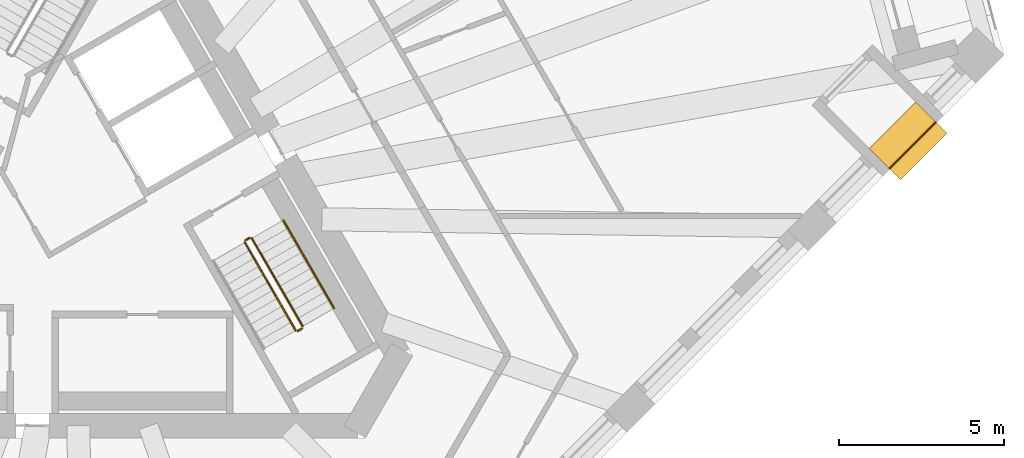
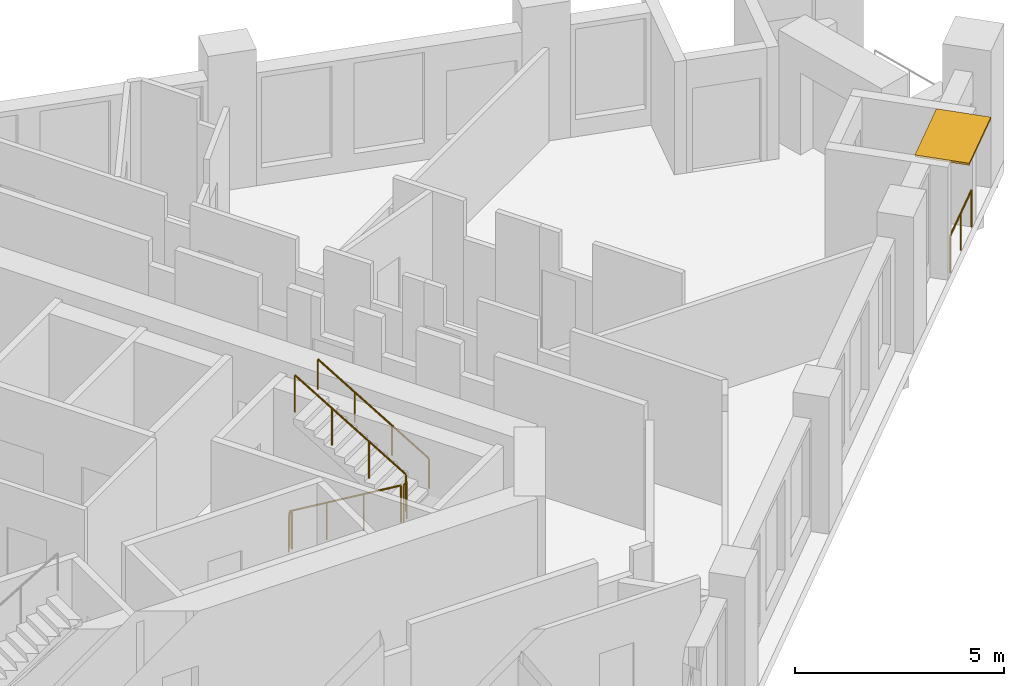
# One storey, part 11 of 13: 6 railings, 1 shading device.
"""IFC4 building model written with IfcOpenShell, lengths in metres."""

import ifcopenshell
import ifcopenshell.guid

model = None  # the IFC model being written
_history = None  # IfcOwnerHistory: only IFC2X3 demands one
_inside = {}  # id of a spatial element -> (the spatial element, [elements in it])
_under = {}  # id of a project, library or spatial element -> (it, [spatial elements below it])
_declared = {}  # id of a project -> (the project, [libraries it declares])
_typed = {}  # id of a type object -> (the type object, [elements of that type])
_made_of = {}  # id of a material, layer set ... -> (it, [elements and type objects made of it])


def new_model(schema):
    """Start an empty IFC model of exactly this schema.

    Asked for "IFC4X3", IfcOpenShell would pick the latest addendum, in which some entities
    have other attributes; the version numbers below select the first issue.
    IFC2X3 requires an IfcOwnerHistory on every rooted entity: one is made here for all.
    """
    global model, _history
    if schema == "IFC4X3":
        model = ifcopenshell.file(schema_version=(4, 3, 0, 0))
    else:
        model = ifcopenshell.file(schema=schema)
    _inside.clear()
    _under.clear()
    _declared.clear()
    _typed.clear()
    _made_of.clear()
    _history = None
    if model.schema == "IFC2X3":
        org = make("IfcOrganization", Name="unknown")
        user = make(
            "IfcPersonAndOrganization",
            ThePerson=make("IfcPerson", FamilyName="unknown"),
            TheOrganization=org,
        )
        app = make(
            "IfcApplication",
            ApplicationDeveloper=org,
            Version="unknown",
            ApplicationFullName="unknown",
            ApplicationIdentifier="unknown",
        )
        _history = make(
            "IfcOwnerHistory",
            OwningUser=user,
            OwningApplication=app,
            ChangeAction="ADDED",
            CreationDate=0,
        )
    return model


def make(cls, **values):
    """One entity of the class cls with the attributes given. An attribute that is None is left unset."""
    return model.create_entity(
        cls, **{name: value for name, value in values.items() if value is not None}
    )


def rooted(cls, **values):
    """An entity with a GlobalId (a new one), such as an element, a storey or a relation."""
    return make(cls, GlobalId=ifcopenshell.guid.new(), OwnerHistory=_history, **values)


def si_unit(unit_type, name, prefix=None):
    """IfcSIUnit, for example si_unit("LENGTHUNIT", "METRE", prefix="MILLI")."""
    return make("IfcSIUnit", UnitType=unit_type, Prefix=prefix, Name=name)


def assignment(units):
    """IfcUnitAssignment: the units of a project."""
    return None if units is None else make("IfcUnitAssignment", Units=units)


def point(xyz):
    """IfcCartesianPoint."""
    return None if xyz is None else make("IfcCartesianPoint", Coordinates=xyz)


def direction(xyz):
    """IfcDirection."""
    return None if xyz is None else make("IfcDirection", DirectionRatios=xyz)


def frame(location, z_axis=None, x_axis=None):
    """IfcAxis2Placement3D, a coordinate frame: its origin and axes. An axis left out is left unset."""
    return make(
        "IfcAxis2Placement3D",
        Location=point(location),
        Axis=direction(z_axis),
        RefDirection=direction(x_axis),
    )


def frame_2d(location, x_axis=None):
    """IfcAxis2Placement2D, a coordinate frame in the plane: its origin and x axis."""
    return make(
        "IfcAxis2Placement2D", Location=point(location), RefDirection=direction(x_axis)
    )


def origin():
    """The frame at (0, 0, 0) with its axes left unset."""
    return frame((0.0, 0.0, 0.0))


def origin_2d():
    """The frame at (0, 0) in the plane with its x axis left unset."""
    return frame_2d((0.0, 0.0))


def place(relative_to, where):
    """IfcLocalPlacement: puts the frame where relative to a parent placement (None: the world)."""
    return make(
        "IfcLocalPlacement", PlacementRelTo=relative_to, RelativePlacement=where
    )


def context(
    kind, dimensions, precision=None, world=None, true_north=None, identifier=None
):
    """IfcGeometricRepresentationContext, for example the 3D "Model" context."""
    return make(
        "IfcGeometricRepresentationContext",
        ContextIdentifier=identifier,
        ContextType=kind,
        CoordinateSpaceDimension=dimensions,
        Precision=precision,
        WorldCoordinateSystem=world,
        TrueNorth=true_north,
    )


def subcontext(parent, identifier, kind, view, scale=None):
    """IfcGeometricRepresentationSubContext, for example "Body" below "Model"."""
    return make(
        "IfcGeometricRepresentationSubContext",
        ContextIdentifier=identifier,
        ContextType=kind,
        ParentContext=parent,
        TargetScale=scale,
        TargetView=view,
    )


def project(units=None, contexts=None):
    """IfcProject with its units and contexts."""
    return rooted(
        "IfcProject",
        Name="project",
        RepresentationContexts=contexts,
        UnitsInContext=assignment(units),
    )


def spatial(cls, under=None, at=None, **own):
    """A site, building, storey or space (cls), placed at a placement, below another one or the project."""
    s = rooted(cls, ObjectPlacement=at, **own)
    if under is not None:
        _under.setdefault(under.id(), (under, []))[1].append(s)
    return s


def profile(cls, at=None, kind="AREA", **sizes):
    """A parametric profile (cls). Its sizes go by their IFC names, for example OverallWidth=200.0."""
    return make(cls, ProfileType=kind, Position=at, **sizes)


def rectangle(**sizes):
    """IfcRectangleProfileDef."""
    return profile("IfcRectangleProfileDef", **sizes)


def circle(**sizes):
    """IfcCircleProfileDef."""
    return profile("IfcCircleProfileDef", **sizes)


def extrude(swept, where, along, depth):
    """IfcExtrudedAreaSolid: the profile swept, set in the frame where, extruded along a direction by depth."""
    return make(
        "IfcExtrudedAreaSolid",
        SweptArea=swept,
        Position=where,
        ExtrudedDirection=direction(along),
        Depth=depth,
    )


def shape(context_of_items, identifier, shape_type, items):
    """IfcShapeRepresentation: the items that make up one representation, for example the "Body"."""
    return make(
        "IfcShapeRepresentation",
        ContextOfItems=context_of_items,
        RepresentationIdentifier=identifier,
        RepresentationType=shape_type,
        Items=items,
    )


def material(Name=None, Category=None):
    """IfcMaterial."""
    return make("IfcMaterial", Name=Name, Category=Category)


def layer(
    of_material, thickness, ventilated=None, Name=None, Category=None, Priority=None
):
    """IfcMaterialLayer: one layer of a wall or slab, of a material (None: an air gap)."""
    return make(
        "IfcMaterialLayer",
        Material=of_material,
        LayerThickness=thickness,
        IsVentilated=ventilated,
        Name=Name,
        Category=Category,
        Priority=Priority,
    )


def layer_set(layers, Name=None):
    """IfcMaterialLayerSet."""
    return make("IfcMaterialLayerSet", MaterialLayers=layers, LayerSetName=Name)


def made_of(thing, what):
    """Note that an element or type object is made of a material, layer set ...; save() writes the relation."""
    if what is not None:
        _made_of.setdefault(what.id(), (what, []))[1].append(thing)
    return thing


def type_object(cls, material=None, **own):
    """A type object (cls), such as IfcWallType, which elements share."""
    return made_of(rooted(cls, **own), material)


def element(
    cls,
    number,
    at=None,
    inside=None,
    cuts=None,
    type_object=None,
    material=None,
    context=None,
    identifier="Body",
    shape_type=None,
    held_by="IfcProductDefinitionShape",
    body=None,
    shapes=None,
    **own,
):
    """One element of the class cls, such as IfcWall. Its Tag is "e" and its number.

    at: its placement. inside: the storey or other place that contains it. cuts: it is an
    opening in that element (IfcRelVoidsElement). A single representation is given by context,
    identifier, shape_type and body (its items); several are given by shapes. held_by: the class
    of the entity that holds the representations. save() writes the other relations.
    """
    e = rooted(cls, Tag="e%d" % number, ObjectPlacement=at, **own)
    if body is not None:
        shapes = [shape(context, identifier, shape_type, body)]
    if shapes is not None:
        e.Representation = make(held_by, Representations=shapes)
    if inside is not None:
        _inside.setdefault(inside.id(), (inside, []))[1].append(e)
    if cuts is not None:
        rooted(
            "IfcRelVoidsElement", RelatingBuildingElement=cuts, RelatedOpeningElement=e
        )
    if type_object is not None:
        _typed.setdefault(type_object.id(), (type_object, []))[1].append(e)
    return made_of(e, material)


def aggregate(whole, parts):
    """IfcRelAggregates: a whole, such as a stair, and the parts it consists of."""
    return rooted("IfcRelAggregates", RelatingObject=whole, RelatedObjects=parts)


def save(model, path):
    """Write the relations noted so far, then the file.

    IfcRelAggregates (storeys below a building ...), IfcRelContainedInSpatialStructure (elements
    in a storey), IfcRelDefinesByType, IfcRelAssociatesMaterial and IfcRelDeclares: one each for
    every whole, place, type object, material and project.
    """
    for whole, parts in _under.values():
        aggregate(whole, parts)
    for where, things in _inside.values():
        rooted(
            "IfcRelContainedInSpatialStructure",
            RelatedElements=things,
            RelatingStructure=where,
        )
    for kind, things in _typed.values():
        rooted("IfcRelDefinesByType", RelatedObjects=things, RelatingType=kind)
    for what, things in _made_of.values():
        rooted("IfcRelAssociatesMaterial", RelatedObjects=things, RelatingMaterial=what)
    for by, libraries in _declared.values():
        rooted("IfcRelDeclares", RelatingContext=by, RelatedDefinitions=libraries)
    model.write(path)


model = new_model("IFC4")

# Units and contexts
model_context = context("Model", 3, precision=1e-05, world=origin(), true_north=direction((0.0, 1.0)))
body_context = subcontext(model_context, "Body", "Model", "MODEL_VIEW")
ifc_project = project(units=[si_unit("LENGTHUNIT", "METRE"), si_unit("AREAUNIT", "SQUARE_METRE"), si_unit("VOLUMEUNIT", "CUBIC_METRE"), si_unit("PLANEANGLEUNIT", "RADIAN"), si_unit("MASSUNIT", "GRAM", prefix="KILO")], contexts=[model_context])

# Site, building, storey
site_placement = place(None, origin())
site = spatial("IfcSite", under=ifc_project, at=site_placement, CompositionType="ELEMENT")
building_placement = place(site_placement, origin())
building = spatial("IfcBuilding", under=site, at=building_placement, Name="Tramontana Tower", CompositionType="ELEMENT")
storey_placement = place(building_placement, frame((0.0, 0.0, 204.0)))
storey = spatial("IfcBuildingStorey", under=building, at=storey_placement, Name="L47", CompositionType="ELEMENT", Elevation=204.0)

# Railing
ifc_material_1 = material(Name="Laminated glass balustrade", Category="glass")
railing_type_1 = type_object("IfcRailingType", Name="GD1 Loggia glass balustrade 1100", PredefinedType="BALUSTRADE", material=ifc_material_1)
railing_1_placement = place(storey_placement, frame((24.718017578125, 1.426025390625, 0.0)))
element("IfcRailing", 1, at=railing_1_placement, inside=storey, type_object=railing_type_1, Name="Loggia balustrade L47 G5S1.16", PredefinedType="BALUSTRADE", context=body_context, shape_type="SweptSolid", body=[
    extrude(circle(Radius=0.02392578125, at=origin_2d()), frame((0.0, 0.0, 1.076171875), z_axis=(0.707106781187, 0.707106781187, 0.0), x_axis=(-0.707106781187, 0.707106781187, 0.0)), (0.0, 0.0, 1.0), 1.998046875),
    extrude(circle(Radius=0.02099609375, at=origin_2d()), origin(), (0.0, 0.0, 1.0), 1.052001953125),
    extrude(circle(Radius=0.02099609375, at=origin_2d()), frame((0.70654296875, 0.70654296875, 0.0)), (0.0, 0.0, 1.0), 1.052001953125),
    extrude(circle(Radius=0.02099609375, at=origin_2d()), frame((1.412841796875, 1.412841796875, 0.0)), (0.0, 0.0, 1.0), 1.052001953125),
])

# Shading device
ifc_material_2 = material(Name="Precast concrete 60 MPa", Category="concrete")
ifc_layer = layer(ifc_material_2, 0.06005859375)
ifc_layer_set = layer_set([ifc_layer], Name="SS1 Stone sunshade blade 60")
shading_device_type = type_object("IfcShadingDeviceType", Name="SS1 Stone sunshade blade 60", PredefinedType="USERDEFINED", material=ifc_layer_set)
shading_device_placement = place(storey_placement, frame((25.28662109375, 2.270263671875, 3.239990234375), z_axis=(0.0, 0.0, 1.0), x_axis=(0.707106781187, 0.707106781187, 0.0)))
element("IfcShadingDevice", 2, at=shading_device_placement, inside=storey, type_object=shading_device_type, Name="Sunshade L47 G5S1.16", ObjectType="SUNSHADE", PredefinedType="USERDEFINED", context=body_context, shape_type="SweptSolid", body=[
    extrude(rectangle(XDim=1.998046875, YDim=1.35009765625, at=origin_2d()), origin(), (0.0, 0.0, 1.0), 0.06005859375),
])

# Railings
ifc_material_3 = material(Name="Painted steel", Category="steel")
railing_type_2 = type_object("IfcRailingType", Name="STAIR GUARD 1100", PredefinedType="GUARDRAIL", material=ifc_material_3)
railing_2_placement = place(storey_placement, frame((5.1474609375, -0.815673828125, 0.166748046875)))
element("IfcRailing", 3, at=railing_2_placement, inside=storey, type_object=railing_type_2, Name="L47 ST3 stair guard 1", PredefinedType="GUARDRAIL", context=body_context, shape_type="SweptSolid", body=[
    extrude(circle(Radius=0.02392578125, at=origin_2d()), frame((0.0, 0.0, 1.076171875), z_axis=(0.429671193721, -0.744159446956, 0.511477646425), x_axis=(0.866010015463, 0.500026652407, 0.0)), (0.0, 0.0, 1.0), 3.584228515625),
    extrude(circle(Radius=0.02099609375, at=origin_2d()), origin(), (0.0, 0.0, 1.0), 1.052001953125),
    extrude(circle(Radius=0.02099609375, at=origin_2d()), frame((0.513427734375, -0.88916015625, 0.611083984375)), (0.0, 0.0, 1.0), 1.052001953125),
    extrude(circle(Radius=0.02099609375, at=origin_2d()), frame((1.026611328125, -1.778076171875, 1.22216796875)), (0.0, 0.0, 1.0), 1.052001953125),
    extrude(circle(Radius=0.02099609375, at=origin_2d()), frame((1.5400390625, -2.667236328125, 1.833251953125)), (0.0, 0.0, 1.0), 1.052001953125),
])
railing_3_placement = place(storey_placement, frame((6.90380859375, -3.35791015625, 2.166748046875)))
element("IfcRailing", 4, at=railing_3_placement, inside=storey, type_object=railing_type_2, Name="L47 ST3 stair guard 2", PredefinedType="GUARDRAIL", context=body_context, shape_type="SweptSolid", body=[
    extrude(circle(Radius=0.02392578125, at=origin_2d()), frame((0.0, 0.0, 1.076171875), z_axis=(-0.429615651263, 0.74418122563, 0.511492615401), x_axis=(-0.866044340336, -0.499967199496, 0.0)), (0.0, 0.0, 1.0), 3.584228515625),
    extrude(circle(Radius=0.02099609375, at=origin_2d()), origin(), (0.0, 0.0, 1.0), 1.052001953125),
    extrude(circle(Radius=0.02099609375, at=origin_2d()), frame((-0.51318359375, 0.88916015625, 0.611083984375)), (0.0, 0.0, 1.0), 1.052001953125),
    extrude(circle(Radius=0.02099609375, at=origin_2d()), frame((-1.026611328125, 1.778076171875, 1.22216796875)), (0.0, 0.0, 1.0), 1.052001953125),
    extrude(circle(Radius=0.02099609375, at=origin_2d()), frame((-1.539794921875, 2.667236328125, 1.833251953125)), (0.0, 0.0, 1.0), 1.052001953125),
])
for number, where, name in (
    (5, (6.755615234375, -3.501220703125, 2.0), "L47 ST3 stair guard 3"),
    (6, (5.165771484375, -0.747314453125, 0.0), "L47 ST3 stair guard 4"),
):
    element("IfcRailing", number, at=place(storey_placement, frame(where)), inside=storey, type_object=railing_type_2, Name=name, PredefinedType="GUARDRAIL", context=body_context, shape_type="SweptSolid", body=[
        extrude(circle(Radius=0.02392578125, at=origin_2d()), frame((0.0, 0.0, 1.076171875), z_axis=(0.866131372301, 0.499816412211, 0.0), x_axis=(-0.499816412211, 0.866131372301, 0.0)), (0.0, 0.0, 1.0), 0.14990234375),
        extrude(circle(Radius=0.02099609375, at=origin_2d()), origin(), (0.0, 0.0, 1.0), 1.052001953125),
        extrude(circle(Radius=0.02099609375, at=origin_2d()), frame((0.1298828125, 0.074951171875, 0.0)), (0.0, 0.0, 1.0), 1.052001953125),
    ])
ifc_material_4 = material(Name="Painted steel", Category="steel")
railing_type_3 = type_object("IfcRailingType", Name="STAIR HANDRAIL 900", PredefinedType="HANDRAIL", material=ifc_material_4)
railing_4_placement = place(storey_placement, frame((7.8564453125, -2.807861328125, 2.166748046875)))
element("IfcRailing", 7, at=railing_4_placement, inside=storey, type_object=railing_type_3, Name="L47 ST3 stair handrail 2", PredefinedType="HANDRAIL", context=body_context, shape_type="SweptSolid", body=[
    extrude(circle(Radius=0.02392578125, at=origin_2d()), frame((0.0, 0.0, 0.8759765625), z_axis=(-0.429615651263, 0.74418122563, 0.511492615401), x_axis=(-0.866044340336, -0.499967199496, 0.0)), (0.0, 0.0, 1.0), 3.584228515625),
    extrude(circle(Radius=0.02099609375, at=origin_2d()), origin(), (0.0, 0.0, 1.0), 0.851806640625),
    extrude(circle(Radius=0.02099609375, at=origin_2d()), frame((-0.51318359375, 0.88916015625, 0.611083984375)), (0.0, 0.0, 1.0), 0.851806640625),
    extrude(circle(Radius=0.02099609375, at=origin_2d()), frame((-1.026611328125, 1.778076171875, 1.22216796875)), (0.0, 0.0, 1.0), 0.851806640625),
    extrude(circle(Radius=0.02099609375, at=origin_2d()), frame((-1.539794921875, 2.667236328125, 1.833251953125)), (0.0, 0.0, 1.0), 0.851806640625),
])

save(model, "model.ifc")
